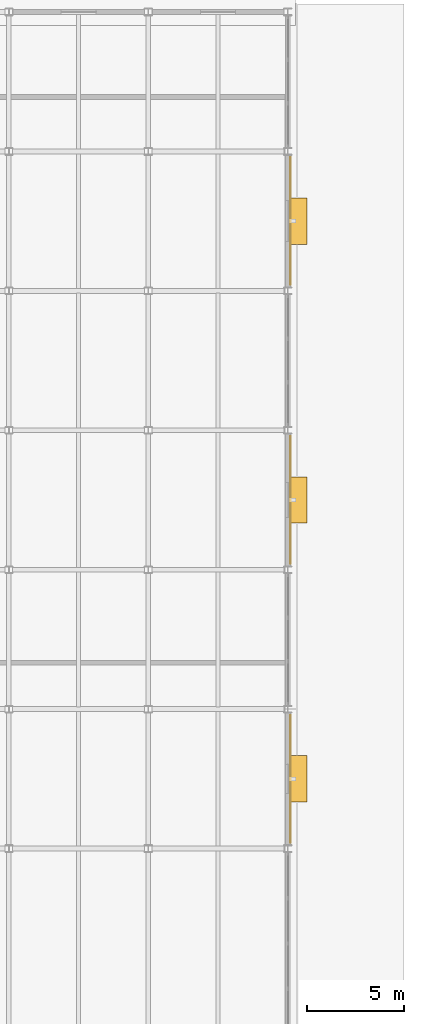
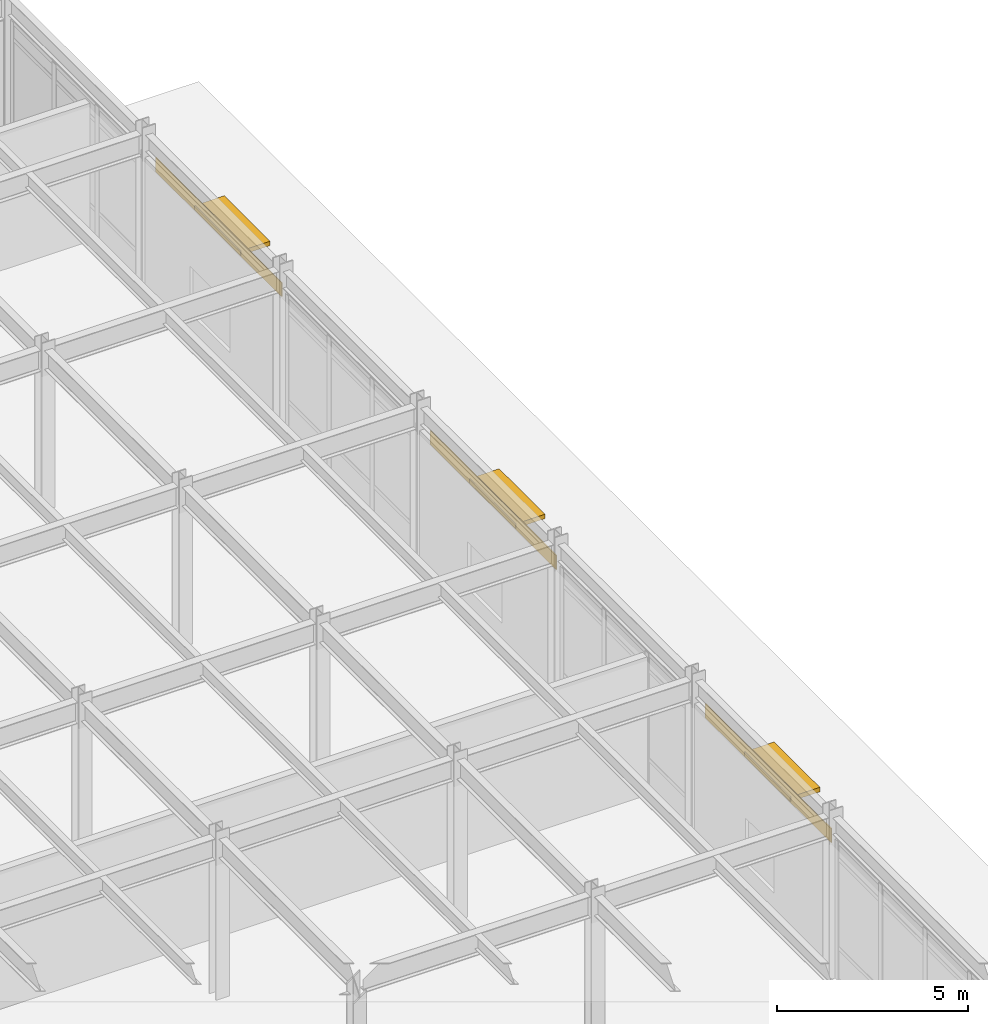
# One storey, part 103 of 104: 3 coverings, 3 shading devices.
"""IFC4 building model written with IfcOpenShell, lengths in metres."""

from ifc_helpers import new_model, si_unit, direction, frame, origin, origin_2d, place, context, subcontext, project, spatial, rectangle, extrude, material, layer, layer_set, type_object, element, save


model = new_model("IFC4")

# Units and contexts
model_context = context("Model", 3, precision=1e-05, world=origin(), true_north=direction((0.0, 1.0)))
body_context = subcontext(model_context, "Body", "Model", "MODEL_VIEW")
ifc_project = project(units=[si_unit("LENGTHUNIT", "METRE"), si_unit("AREAUNIT", "SQUARE_METRE"), si_unit("VOLUMEUNIT", "CUBIC_METRE"), si_unit("PLANEANGLEUNIT", "RADIAN"), si_unit("MASSUNIT", "GRAM", prefix="KILO")], contexts=[model_context])

# Site, building, storey
site_placement = place(None, origin())
site = spatial("IfcSite", under=ifc_project, at=site_placement, CompositionType="ELEMENT")
building_placement = place(site_placement, origin())
building = spatial("IfcBuilding", under=site, at=building_placement, Name="Vaelcorin Mobility Hub", CompositionType="ELEMENT")
storey_placement = place(building_placement, origin())
storey = spatial("IfcBuildingStorey", under=building, at=storey_placement, Name="L00", CompositionType="ELEMENT", Elevation=0.0)

# Coverings
ifc_material_1 = material(Name="Extruded terracotta-bronze rainscreen panel", Category="masonry")
ifc_layer = layer(ifc_material_1, 0.02490234375)
ifc_layer_set = layer_set([ifc_layer], Name="Extruded terracotta-bronze rainscreen panel")
covering_type = type_object("IfcCoveringType", Name="COV-CLAD-25", PredefinedType="CLADDING", material=ifc_layer_set)
for number, where, z_axis, x_axis, name in (
    (1, (204.139892578125, 80.39990234375, 3.966796875), (0.0, 0.0, 1.0), (1.0, 0.0, 0.0), "Terracotta-Bronze Facade Cladding L00-09"),
    (2, (204.139892578125, 94.800048828125, 3.966796875), (0.0, 0.0, 1.0), (1.0, 0.0, 0.0), "Terracotta-Bronze Facade Cladding L00-11"),
    (3, (204.139892578125, 109.199951171875, 3.966796875), (0.0, 0.0, 1.0), (1.0, 0.0, 0.0), "Terracotta-Bronze Facade Cladding L00-13"),
):
    element("IfcCovering", number, at=place(storey_placement, frame(where, z_axis=z_axis, x_axis=x_axis)), inside=storey, type_object=covering_type, Name=name, PredefinedType="CLADDING", context=body_context, shape_type="SweptSolid", body=[
        extrude(rectangle(XDim=0.028076171875, YDim=6.60009765625, at=origin_2d()), origin(), (0.0, 0.0, 1.0), 0.449951171875),
    ])

# Shading devices
ifc_material_2 = material(Name="Perforated terracotta-bronze aluminium aerofoil", Category="masonry")
shading_device_type_1 = type_object("IfcShadingDeviceType", Name="SHD-JAL-1", PredefinedType="JALOUSIE", material=ifc_material_2)
for number, where, z_axis, x_axis, name in (
    (4, (204.550048828125, 80.39990234375, 4.02197265625), (0.0, 0.0, 1.0), (1.0, 0.0, 0.0), "Jalousie Sun-Hood L00-09"),
    (5, (204.550048828125, 109.199951171875, 4.02197265625), (0.0, 0.0, 1.0), (1.0, 0.0, 0.0), "Jalousie Sun-Hood L00-13"),
):
    element("IfcShadingDevice", number, at=place(storey_placement, frame(where, z_axis=z_axis, x_axis=x_axis)), inside=storey, type_object=shading_device_type_1, Name=name, PredefinedType="JALOUSIE", context=body_context, shape_type="SweptSolid", body=[
        extrude(rectangle(XDim=0.89990234375, YDim=2.39990234375, at=origin_2d()), origin(), (0.0, 0.0, 1.0), 0.139892578125),
    ])
shading_device_type_2 = type_object("IfcShadingDeviceType", Name="SHD-JAL-2", PredefinedType="JALOUSIE", material=ifc_material_2)
shading_device_placement = place(storey_placement, frame((204.550048828125, 94.800048828125, 4.02197265625), z_axis=(0.0, 0.0, 1.0), x_axis=(1.0, 0.0, 0.0)))
element("IfcShadingDevice", 6, at=shading_device_placement, inside=storey, type_object=shading_device_type_2, Name="Jalousie Sun-Hood L00-11", PredefinedType="JALOUSIE", context=body_context, shape_type="SweptSolid", body=[
    extrude(rectangle(XDim=0.89990234375, YDim=2.39990234375, at=origin_2d()), origin(), (0.0, 0.0, 1.0), 0.139892578125),
])

save(model, "model.ifc")
